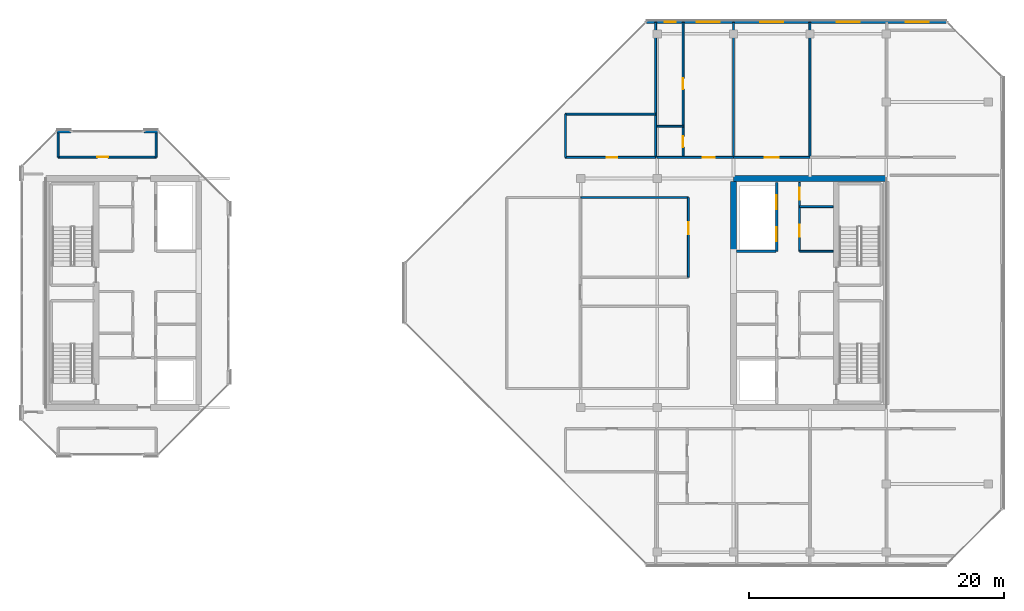
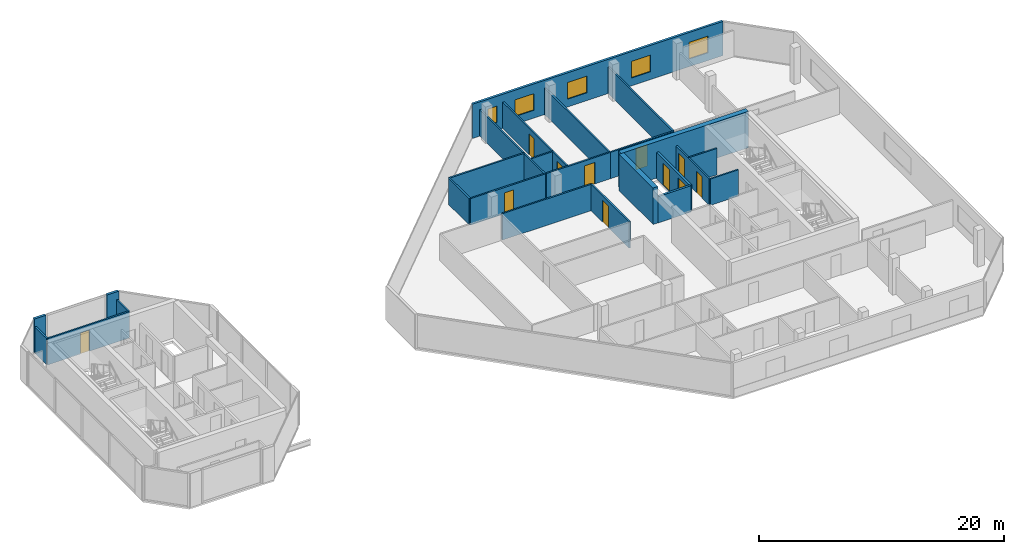
# One storey, part 23 of 28: 25 walls, 11 doors, 5 windows, 16 openings.
"""IFC4 building model written with IfcOpenShell, lengths in metres."""

from ifc_helpers import new_model, si_unit, direction, frame, frame_2d, origin, place, context, subcontext, project, spatial, rectangle, extrude, material, layer, layer_set, type_object, element, fill, save


model = new_model("IFC4")

# Units and contexts
model_context = context("Model", 3, precision=1e-05, world=origin(), true_north=direction((0.0, 1.0)))
body_context = subcontext(model_context, "Body", "Model", "MODEL_VIEW")
ifc_project = project(units=[si_unit("LENGTHUNIT", "METRE"), si_unit("AREAUNIT", "SQUARE_METRE"), si_unit("VOLUMEUNIT", "CUBIC_METRE"), si_unit("PLANEANGLEUNIT", "RADIAN"), si_unit("MASSUNIT", "GRAM", prefix="KILO")], contexts=[model_context])

# Site, building, storey
site_placement = place(None, origin())
site = spatial("IfcSite", under=ifc_project, at=site_placement, CompositionType="ELEMENT")
building_placement = place(site_placement, origin())
building = spatial("IfcBuilding", under=site, at=building_placement, Name="Tanjung Sevakor Pilgrim Tower", CompositionType="ELEMENT")
storey_placement = place(building_placement, frame((0.0, 0.0, 249.81005859375)))
storey = spatial("IfcBuildingStorey", under=building, at=storey_placement, Name="L70", CompositionType="ELEMENT", Elevation=249.81005859375)

# Walls
ifc_material_1 = material(Name="Concrete C60/75", Category="concrete")
ifc_layer_1 = layer(ifc_material_1, 0.449951171875)
ifc_layer_set_1 = layer_set([ifc_layer_1], Name="WALL-CW-450")
wall_type_1 = type_object("IfcWallType", Name="WALL-CW-450", PredefinedType="SHEAR", material=ifc_layer_set_1)
wall_1_placement = place(storey_placement, frame((90.0, 42.60009765625, 0.0), z_axis=(0.0, 0.0, 1.0), x_axis=(-1.0, 0.0, 0.0)))
element("IfcWall", 1, at=wall_1_placement, inside=storey, type_object=wall_type_1, Name="L70 E Core North Shear Wall", PredefinedType="SHEAR", context=body_context, shape_type="SweptSolid", body=[
    extrude(rectangle(XDim=12.0, YDim=0.449951171875, at=frame_2d((6.0, 0.0))), origin(), (0.0, 0.0, 1.0), 3.6298828125),
])
wall_2_placement = place(storey_placement, frame((78.0, 36.800048828125, 0.0), z_axis=(0.0, 0.0, 1.0), x_axis=(0.0, 1.0, 0.0)))
element("IfcWall", 2, at=wall_2_placement, inside=storey, type_object=wall_type_1, Name="L70 E Core Inner Shear Wall North", PredefinedType="SHEAR", context=body_context, shape_type="SweptSolid", body=[
    extrude(rectangle(XDim=5.574951171875, YDim=0.449951171875, at=frame_2d((2.78759765625, 0.0))), origin(), (0.0, 0.0, 1.0), 3.6298828125),
])
ifc_material_2 = material(Name="Concrete C40/50", Category="concrete")
ifc_layer_2 = layer(ifc_material_2, 0.14990234375)
ifc_layer_set_2 = layer_set([ifc_layer_2], Name="WT-COMP-150")
wall_type_2 = type_object("IfcWallType", Name="WT-COMP-150", PredefinedType="SOLIDWALL", material=ifc_layer_set_2)
for number, where, z_axis, x_axis, name in (
    (3, (83.199951171875, 36.8798828125, 0.0), (0.0, 0.0, 1.0), (1.0, 0.0, 0.0), "L70 Partition IW-L70-022"),
    (4, (83.199951171875, 40.389892578125, 0.0), (0.0, 0.0, 1.0), (1.0, 0.0, 0.0), "L70 Partition IW-L70-023"),
):
    element("IfcWall", number, at=place(storey_placement, frame(where, z_axis=z_axis, x_axis=x_axis)), inside=storey, type_object=wall_type_2, Name=name, PredefinedType="SOLIDWALL", context=body_context, shape_type="SweptSolid", body=[
        extrude(rectangle(XDim=2.630126953125, YDim=0.14990234375, at=frame_2d((1.31494140625, 0.0))), origin(), (0.0, 0.0, 1.0), 2.6298828125),
    ])

# Wall, openings, doors
wall_3_placement = place(storey_placement, frame((83.179931640625, 36.8798828125, 0.0), z_axis=(0.0, 0.0, 1.0), x_axis=(0.0, 1.0, 0.0)))
wall_3 = element("IfcWall", 5, at=wall_3_placement, inside=storey, type_object=wall_type_2, Name="L70 Partition IW-L70-024", PredefinedType="SOLIDWALL", context=body_context, shape_type="SweptSolid", body=[
    extrude(rectangle(XDim=5.420166015625, YDim=0.14990234375, at=frame_2d((2.7099609375, 0.0))), origin(), (0.0, 0.0, 1.0), 2.6298828125),
])
opening_1_placement = place(wall_3_placement, frame((1.14990234375, 0.0, 0.0)))
opening_1 = element("IfcOpeningElement", 6, at=opening_1_placement, cuts=wall_3, Name="Opening ID-FD2", PredefinedType="OPENING", context=body_context, shape_type="SweptSolid", body=[
    extrude(rectangle(XDim=0.949951171875, YDim=2.14990234375, at=frame_2d((0.47509765625, 1.074951171875))), frame((0.0, 0.0849609375, 0.0), z_axis=(0.0, -1.0, 0.0), x_axis=(1.0, 0.0, 0.0)), (0.0, 0.0, 1.0), 0.169921875),
])
opening_2_placement = place(wall_3_placement, frame((4.050048828125, 0.0, 0.0)))
opening_2 = element("IfcOpeningElement", 7, at=opening_2_placement, cuts=wall_3, Name="Opening ID-FD2", PredefinedType="OPENING", context=body_context, shape_type="SweptSolid", body=[
    extrude(rectangle(XDim=0.949951171875, YDim=2.14990234375, at=frame_2d((0.47509765625, 1.074951171875))), frame((0.0, 0.0849609375, 0.0), z_axis=(0.0, -1.0, 0.0), x_axis=(1.0, 0.0, 0.0)), (0.0, 0.0, 1.0), 0.169921875),
])
ifc_material_3 = material(Name="Fire-Rated Timber", Category="wood")
door_type_1 = type_object("IfcDoorType", Name="DT-FIRE-950", OperationType="NOTDEFINED", PredefinedType="DOOR", material=ifc_material_3)
door_1_placement = place(opening_1_placement, origin())
door_1 = element("IfcDoor", 8, at=door_1_placement, inside=storey, type_object=door_type_1, Name="L70 Core Study Room Door", OperationType="SINGLE_SWING_LEFT", OverallHeight=2.14990234375, OverallWidth=0.949951171875, PredefinedType="DOOR", context=body_context, shape_type="SweptSolid", body=[
    extrude(rectangle(XDim=0.949951171875, YDim=2.14990234375, at=frame_2d((0.47509765625, 1.074951171875))), frame((0.0, 0.02490234375, 0.0), z_axis=(0.0, -1.0, 0.0), x_axis=(1.0, 0.0, 0.0)), (0.0, 0.0, 1.0), 0.050048828125),
])
fill(opening_1, door_1)
door_2_placement = place(opening_2_placement, origin())
door_2 = element("IfcDoor", 9, at=door_2_placement, inside=storey, type_object=door_type_1, Name="L70 Service Store Door", OperationType="SINGLE_SWING_RIGHT", OverallHeight=2.14990234375, OverallWidth=0.949951171875, PredefinedType="DOOR", context=body_context, shape_type="SweptSolid", body=[
    extrude(rectangle(XDim=0.949951171875, YDim=2.14990234375, at=frame_2d((0.47509765625, 1.074951171875))), frame((0.0, 0.02490234375, 0.0), z_axis=(0.0, -1.0, 0.0), x_axis=(1.0, 0.0, 0.0)), (0.0, 0.0, 1.0), 0.050048828125),
])
fill(opening_2, door_2)

# Wall, opening, door
wall_4_placement = place(storey_placement, frame((24.949951171875, 44.27001953125, 0.0), z_axis=(0.0, 0.0, 1.0), x_axis=(1.0, 0.0, 0.0)))
wall_4 = element("IfcWall", 10, at=wall_4_placement, inside=storey, type_object=wall_type_2, Name="L70 Partition IW-L70-032", PredefinedType="SOLIDWALL", context=body_context, shape_type="SweptSolid", body=[
    extrude(rectangle(XDim=7.699951171875, YDim=0.14990234375, at=frame_2d((3.85009765625, 0.0))), origin(), (0.0, 0.0, 1.0), 2.6298828125),
])
opening_3_placement = place(wall_4_placement, frame((3.074951171875, 0.0, 0.0)))
opening_3 = element("IfcOpeningElement", 11, at=opening_3_placement, cuts=wall_4, Name="Opening ID-WC1", PredefinedType="OPENING", context=body_context, shape_type="SweptSolid", body=[
    extrude(rectangle(XDim=0.85009765625, YDim=2.10009765625, at=frame_2d((0.425048828125, 1.050048828125))), frame((0.0, 0.0849609375, 0.0), z_axis=(0.0, -1.0, 0.0), x_axis=(1.0, 0.0, 0.0)), (0.0, 0.0, 1.0), 0.169921875),
])
ifc_material_4 = material(Name="Moisture-Resistant Timber", Category="wood")
door_type_2 = type_object("IfcDoorType", Name="DT-INT-850", OperationType="NOTDEFINED", PredefinedType="DOOR", material=ifc_material_4)
door_3_placement = place(opening_3_placement, origin())
door_3 = element("IfcDoor", 12, at=door_3_placement, inside=storey, type_object=door_type_2, Name="L70 West Peak North Observatory Door", OperationType="SINGLE_SWING_LEFT", OverallHeight=2.10009765625, OverallWidth=0.85009765625, PredefinedType="DOOR", context=body_context, shape_type="SweptSolid", body=[
    extrude(rectangle(XDim=0.85009765625, YDim=2.10009765625, at=frame_2d((0.425048828125, 1.050048828125))), frame((0.0, 0.02490234375, 0.0), z_axis=(0.0, -1.0, 0.0), x_axis=(1.0, 0.0, 0.0)), (0.0, 0.0, 1.0), 0.050048828125),
])
fill(opening_3, door_3)

# Walls
for number, where, z_axis, x_axis, name in (
    (13, (24.949951171875, 44.27001953125, 0.0), (0.0, 0.0, 1.0), (0.0, 1.0, 0.0), "L70 Partition IW-L70-033"),
    (14, (32.64990234375, 44.27001953125, 0.0), (0.0, 0.0, 1.0), (0.0, 1.0, 0.0), "L70 Partition IW-L70-034"),
):
    element("IfcWall", number, at=place(storey_placement, frame(where, z_axis=z_axis, x_axis=x_axis)), inside=storey, type_object=wall_type_2, Name=name, PredefinedType="SOLIDWALL", context=body_context, shape_type="SweptSolid", body=[
        extrude(rectangle(XDim=2.010009765625, YDim=0.14990234375, at=frame_2d((1.0048828125, 0.0))), origin(), (0.0, 0.0, 1.0), 2.6298828125),
    ])

# Wall, opening, door
wall_5_placement = place(storey_placement, frame((64.800048828125, 44.25, 0.0), z_axis=(0.0, 0.0, 1.0), x_axis=(1.0, 0.0, 0.0)))
wall_5 = element("IfcWall", 15, at=wall_5_placement, inside=storey, type_object=wall_type_2, Name="L70 Partition IW-L70-039", PredefinedType="SOLIDWALL", context=body_context, shape_type="SweptSolid", body=[
    extrude(rectangle(XDim=7.079833984375, YDim=0.14990234375, at=frame_2d((3.5400390625, 0.0))), origin(), (0.0, 0.0, 1.0), 2.6298828125),
])
opening_4_placement = place(wall_5_placement, frame((3.22509765625, 0.0, 0.0)))
opening_4 = element("IfcOpeningElement", 16, at=opening_4_placement, cuts=wall_5, Name="Opening ID-WC1", PredefinedType="OPENING", context=body_context, shape_type="SweptSolid", body=[
    extrude(rectangle(XDim=0.85009765625, YDim=2.10009765625, at=frame_2d((0.425048828125, 1.050048828125))), frame((0.0, 0.0849609375, 0.0), z_axis=(0.0, -1.0, 0.0), x_axis=(1.0, 0.0, 0.0)), (0.0, 0.0, 1.0), 0.169921875),
])
door_4_placement = place(opening_4_placement, origin())
door_4 = element("IfcDoor", 17, at=door_4_placement, inside=storey, type_object=door_type_2, Name="L70 NW Crown Library Door", OperationType="SINGLE_SWING_LEFT", OverallHeight=2.10009765625, OverallWidth=0.85009765625, PredefinedType="DOOR", context=body_context, shape_type="SweptSolid", body=[
    extrude(rectangle(XDim=0.85009765625, YDim=2.10009765625, at=frame_2d((0.425048828125, 1.050048828125))), frame((0.0, 0.02490234375, 0.0), z_axis=(0.0, -1.0, 0.0), x_axis=(1.0, 0.0, 0.0)), (0.0, 0.0, 1.0), 0.050048828125),
])
fill(opening_4, door_4)

# Walls
wall_6_placement = place(storey_placement, frame((64.800048828125, 47.64990234375, 0.0), z_axis=(0.0, 0.0, 1.0), x_axis=(1.0, 0.0, 0.0)))
element("IfcWall", 18, at=wall_6_placement, inside=storey, type_object=wall_type_2, Name="L70 Partition IW-L70-040", PredefinedType="SOLIDWALL", context=body_context, shape_type="SweptSolid", body=[
    extrude(rectangle(XDim=7.079833984375, YDim=0.14990234375, at=frame_2d((3.5400390625, 0.0))), origin(), (0.0, 0.0, 1.0), 2.6298828125),
])
wall_7_placement = place(storey_placement, frame((64.800048828125, 44.25, 0.0), z_axis=(0.0, 0.0, 1.0), x_axis=(0.0, 1.0, 0.0)))
element("IfcWall", 19, at=wall_7_placement, inside=storey, type_object=wall_type_2, Name="L70 Partition IW-L70-041", PredefinedType="SOLIDWALL", context=body_context, shape_type="SweptSolid", body=[
    extrude(rectangle(XDim=3.39990234375, YDim=0.14990234375, at=frame_2d((1.699951171875, 0.0))), origin(), (0.0, 0.0, 1.0), 2.6298828125),
])
for number, where, z_axis, x_axis, name in (
    (20, (71.8798828125, 44.25, 0.0), (0.0, 0.0, 1.0), (0.0, 1.0, 0.0), "L70 Partition IW-L70-042"),
    (21, (78.0, 44.25, 0.0), (0.0, 0.0, 1.0), (0.0, 1.0, 0.0), "L70 Partition IW-L70-058"),
):
    element("IfcWall", number, at=place(storey_placement, frame(where, z_axis=z_axis, x_axis=x_axis)), inside=storey, type_object=wall_type_2, Name=name, PredefinedType="SOLIDWALL", context=body_context, shape_type="SweptSolid", body=[
        extrude(rectangle(XDim=10.610107421875, YDim=0.14990234375, at=frame_2d((5.30517578125, 0.0))), origin(), (0.0, 0.0, 1.0), 2.6298828125),
    ])

# Wall, opening, door
wall_8_placement = place(storey_placement, frame((72.0, 44.25, 0.0), z_axis=(0.0, 0.0, 1.0), x_axis=(1.0, 0.0, 0.0)))
wall_8 = element("IfcWall", 22, at=wall_8_placement, inside=storey, type_object=wall_type_2, Name="L70 Partition IW-L70-061", PredefinedType="SOLIDWALL", context=body_context, shape_type="SweptSolid", body=[
    extrude(rectangle(XDim=6.0, YDim=0.14990234375, at=frame_2d((3.0, 0.0))), origin(), (0.0, 0.0, 1.0), 2.6298828125),
])
opening_5_placement = place(wall_8_placement, frame((3.5849609375, 0.0, 0.0)))
opening_5 = element("IfcOpeningElement", 23, at=opening_5_placement, cuts=wall_8, Name="Opening ID-FD2", PredefinedType="OPENING", context=body_context, shape_type="SweptSolid", body=[
    extrude(rectangle(XDim=0.949951171875, YDim=2.14990234375, at=frame_2d((0.47509765625, 1.074951171875))), frame((0.0, 0.0849609375, 0.0), z_axis=(0.0, -1.0, 0.0), x_axis=(1.0, 0.0, 0.0)), (0.0, 0.0, 1.0), 0.169921875),
])
door_5_placement = place(opening_5_placement, origin())
door_5 = element("IfcDoor", 24, at=door_5_placement, inside=storey, type_object=door_type_1, Name="Hotel Guestroom Entrance", OperationType="SINGLE_SWING_LEFT", OverallHeight=2.14990234375, OverallWidth=0.949951171875, PredefinedType="DOOR", context=body_context, shape_type="SweptSolid", body=[
    extrude(rectangle(XDim=0.949951171875, YDim=2.14990234375, at=frame_2d((0.47509765625, 1.074951171875))), frame((0.0, 0.02490234375, 0.0), z_axis=(0.0, -1.0, 0.0), x_axis=(1.0, 0.0, 0.0)), (0.0, 0.0, 1.0), 0.050048828125),
])
fill(opening_5, door_5)

# Wall
wall_9_placement = place(storey_placement, frame((84.0, 44.25, 0.0), z_axis=(0.0, 0.0, 1.0), x_axis=(0.0, 1.0, 0.0)))
element("IfcWall", 25, at=wall_9_placement, inside=storey, type_object=wall_type_2, Name="L70 Partition IW-L70-062", PredefinedType="SOLIDWALL", context=body_context, shape_type="SweptSolid", body=[
    extrude(rectangle(XDim=10.610107421875, YDim=0.14990234375, at=frame_2d((5.30517578125, 0.0))), origin(), (0.0, 0.0, 1.0), 2.6298828125),
])

# Wall, opening, door
wall_10_placement = place(storey_placement, frame((78.0, 44.25, 0.0), z_axis=(0.0, 0.0, 1.0), x_axis=(1.0, 0.0, 0.0)))
wall_10 = element("IfcWall", 26, at=wall_10_placement, inside=storey, type_object=wall_type_2, Name="L70 Partition IW-L70-063", PredefinedType="SOLIDWALL", context=body_context, shape_type="SweptSolid", body=[
    extrude(rectangle(XDim=6.0, YDim=0.14990234375, at=frame_2d((3.0, 0.0))), origin(), (0.0, 0.0, 1.0), 2.6298828125),
])
opening_6_placement = place(wall_10_placement, frame((2.449951171875, 0.0, 0.0)))
opening_6 = element("IfcOpeningElement", 27, at=opening_6_placement, cuts=wall_10, Name="Opening ID-FD0", PredefinedType="OPENING", context=body_context, shape_type="SweptSolid", body=[
    extrude(rectangle(XDim=1.10009765625, YDim=2.14990234375, at=frame_2d((0.550048828125, 1.074951171875))), frame((0.0, 0.0849609375, 0.0), z_axis=(0.0, -1.0, 0.0), x_axis=(1.0, 0.0, 0.0)), (0.0, 0.0, 1.0), 0.169921875),
])
ifc_material_5 = material(Name="Fire-Rated Steel S355J2", Category="steel")
door_type_3 = type_object("IfcDoorType", Name="DT-FIRE-1100", OperationType="NOTDEFINED", PredefinedType="DOOR", material=ifc_material_5)
door_6_placement = place(opening_6_placement, origin())
door_6 = element("IfcDoor", 28, at=door_6_placement, inside=storey, type_object=door_type_3, Name="Seminar Room Door", OperationType="SINGLE_SWING_RIGHT", OverallHeight=2.14990234375, OverallWidth=1.10009765625, PredefinedType="DOOR", context=body_context, shape_type="SweptSolid", body=[
    extrude(rectangle(XDim=1.10009765625, YDim=2.14990234375, at=frame_2d((0.550048828125, 1.074951171875))), frame((0.0, 0.02490234375, 0.0), z_axis=(0.0, -1.0, 0.0), x_axis=(1.0, 0.0, 0.0)), (0.0, 0.0, 1.0), 0.050048828125),
])
fill(opening_6, door_6)

# Wall
wall_11_placement = place(storey_placement, frame((66.0, 41.10009765625, 0.0), z_axis=(0.0, 0.0, 1.0), x_axis=(1.0, 0.0, 0.0)))
element("IfcWall", 29, at=wall_11_placement, inside=storey, type_object=wall_type_2, Name="L70 Partition IW-L70-073", PredefinedType="SOLIDWALL", context=body_context, shape_type="SweptSolid", body=[
    extrude(rectangle(XDim=8.449951171875, YDim=0.14990234375, at=frame_2d((4.22509765625, 0.0))), origin(), (0.0, 0.0, 1.0), 2.6298828125),
])

# Wall, opening, door
wall_12_placement = place(storey_placement, frame((74.449951171875, 34.85009765625, 0.0), z_axis=(0.0, 0.0, 1.0), x_axis=(0.0, 1.0, 0.0)))
wall_12 = element("IfcWall", 30, at=wall_12_placement, inside=storey, type_object=wall_type_2, Name="L70 Partition IW-L70-074", PredefinedType="SOLIDWALL", context=body_context, shape_type="SweptSolid", body=[
    extrude(rectangle(XDim=6.25, YDim=0.14990234375, at=frame_2d((3.125, 0.0))), origin(), (0.0, 0.0, 1.0), 2.6298828125),
])
opening_7_placement = place(wall_12_placement, frame((3.375, 0.0, 0.0)))
opening_7 = element("IfcOpeningElement", 31, at=opening_7_placement, cuts=wall_12, Name="Opening ID-RM1", PredefinedType="OPENING", context=body_context, shape_type="SweptSolid", body=[
    extrude(rectangle(XDim=0.949951171875, YDim=2.14990234375, at=frame_2d((0.47509765625, 1.074951171875))), frame((0.0, 0.0849609375, 0.0), z_axis=(0.0, -1.0, 0.0), x_axis=(1.0, 0.0, 0.0)), (0.0, 0.0, 1.0), 0.169921875),
])
ifc_material_6 = material(Name="Hardwood Timber", Category="wood")
door_type_4 = type_object("IfcDoorType", Name="DT-INT-950", OperationType="NOTDEFINED", PredefinedType="DOOR", material=ifc_material_6)
door_7_placement = place(opening_7_placement, origin())
door_7 = element("IfcDoor", 32, at=door_7_placement, inside=storey, type_object=door_type_4, Name="L70 East Peak Reading Door", OperationType="SINGLE_SWING_RIGHT", OverallHeight=2.14990234375, OverallWidth=0.949951171875, PredefinedType="DOOR", context=body_context, shape_type="SweptSolid", body=[
    extrude(rectangle(XDim=0.949951171875, YDim=2.14990234375, at=frame_2d((0.47509765625, 1.074951171875))), frame((0.0, 0.02490234375, 0.0), z_axis=(0.0, -1.0, 0.0), x_axis=(1.0, 0.0, 0.0)), (0.0, 0.0, 1.0), 0.050048828125),
])
fill(opening_7, door_7)

# Walls
ifc_material_7 = material(Name="Precast concrete C45/55", Category="concrete")
ifc_layer_3 = layer(ifc_material_7, 0.219970703125)
ifc_layer_set_3 = layer_set([ifc_layer_3], Name="WT-EW-STN4")
wall_type_3 = type_object("IfcWallType", Name="WT-EW-STN4", PredefinedType="SOLIDWALL", material=ifc_layer_set_3)
wall_13_placement = place(storey_placement, frame((32.804443359375, 46.2900390625, 0.0), z_axis=(0.0, 0.0, 1.0), x_axis=(-1.0, 0.0, 0.0)))
element("IfcWall", 33, at=wall_13_placement, inside=storey, type_object=wall_type_3, Name="L70 WEST Crown Pier 4-1A", PredefinedType="SOLIDWALL", context=body_context, shape_type="SweptSolid", body=[
    extrude(rectangle(XDim=1.10009765625, YDim=0.219970703125, at=frame_2d((0.550048828125, 0.0))), origin(), (0.0, 0.0, 1.0), 3.409912109375),
])
wall_14_placement = place(storey_placement, frame((25.945556640625, 46.2900390625, 0.0), z_axis=(0.0, 0.0, 1.0), x_axis=(-1.0, 0.0, 0.0)))
element("IfcWall", 34, at=wall_14_placement, inside=storey, type_object=wall_type_3, Name="L70 WEST Crown Pier 4-1B", PredefinedType="SOLIDWALL", context=body_context, shape_type="SweptSolid", body=[
    extrude(rectangle(XDim=1.099853515625, YDim=0.219970703125, at=frame_2d((0.5498046875, 0.0))), origin(), (0.0, 0.0, 1.0), 3.409912109375),
])

# Wall, openings, windows
wall_15_placement = place(storey_placement, frame((94.75439453125, 54.889892578125, 0.0), z_axis=(0.0, 0.0, 1.0), x_axis=(-1.0, 0.0, 0.0)))
wall_15 = element("IfcWall", 35, at=wall_15_placement, inside=storey, type_object=wall_type_3, Name="L70 EAST Exterior Wall 5", PredefinedType="SOLIDWALL", context=body_context, shape_type="SweptSolid", body=[
    extrude(rectangle(XDim=23.60888671875, YDim=0.219970703125, at=frame_2d((11.804443359375, 0.0))), origin(), (0.0, 0.0, 1.0), 3.409912109375),
])
opening_8_placement = place(wall_15_placement, frame((1.42724609375, 0.0, 0.780029296875)))
opening_8 = element("IfcOpeningElement", 36, at=opening_8_placement, cuts=wall_15, Name="Opening WN-Z3-1660", PredefinedType="OPENING", context=body_context, shape_type="SweptSolid", body=[
    extrude(rectangle(XDim=1.800048828125, YDim=1.659912109375, at=frame_2d((0.89990234375, 0.830078125))), frame((0.0, 0.119873046875, 0.0), z_axis=(0.0, -1.0, 0.0), x_axis=(1.0, 0.0, 0.0)), (0.0, 0.0, 1.0), 0.239990234375),
])
opening_9_placement = place(wall_15_placement, frame((21.29931640625, 0.0, 0.780029296875)))
opening_9 = element("IfcOpeningElement", 37, at=opening_9_placement, cuts=wall_15, Name="Opening WN-SLM", PredefinedType="OPENING", context=body_context, shape_type="SweptSolid", body=[
    extrude(rectangle(XDim=0.85009765625, YDim=1.64990234375, at=frame_2d((0.425048828125, 0.824951171875))), frame((0.0, 0.119873046875, 0.0), z_axis=(0.0, -1.0, 0.0), x_axis=(1.0, 0.0, 0.0)), (0.0, 0.0, 1.0), 0.239990234375),
])
opening_10_placement = place(wall_15_placement, frame((17.844482421875, 0.0, 0.780029296875)))
opening_10 = element("IfcOpeningElement", 38, at=opening_10_placement, cuts=wall_15, Name="Opening WN-Z3-1660", PredefinedType="OPENING", context=body_context, shape_type="SweptSolid", body=[
    extrude(rectangle(XDim=1.800048828125, YDim=1.659912109375, at=frame_2d((0.89990234375, 0.830078125))), frame((0.0, 0.119873046875, 0.0), z_axis=(0.0, -1.0, 0.0), x_axis=(1.0, 0.0, 0.0)), (0.0, 0.0, 1.0), 0.239990234375),
])
opening_11_placement = place(wall_15_placement, frame((12.8544921875, 0.0, 0.780029296875)))
opening_11 = element("IfcOpeningElement", 39, at=opening_11_placement, cuts=wall_15, Name="Opening WN-Z3-1660", PredefinedType="OPENING", context=body_context, shape_type="SweptSolid", body=[
    extrude(rectangle(XDim=1.800048828125, YDim=1.659912109375, at=frame_2d((0.89990234375, 0.830078125))), frame((0.0, 0.119873046875, 0.0), z_axis=(0.0, -1.0, 0.0), x_axis=(1.0, 0.0, 0.0)), (0.0, 0.0, 1.0), 0.239990234375),
])
opening_12_placement = place(wall_15_placement, frame((6.8544921875, 0.0, 0.780029296875)))
opening_12 = element("IfcOpeningElement", 40, at=opening_12_placement, cuts=wall_15, Name="Opening WN-Z3-1660", PredefinedType="OPENING", context=body_context, shape_type="SweptSolid", body=[
    extrude(rectangle(XDim=1.800048828125, YDim=1.659912109375, at=frame_2d((0.89990234375, 0.830078125))), frame((0.0, 0.119873046875, 0.0), z_axis=(0.0, -1.0, 0.0), x_axis=(1.0, 0.0, 0.0)), (0.0, 0.0, 1.0), 0.239990234375),
])
ifc_material_8 = material(Name="Thermally Broken Aluminium and Low-E Glass", Category="aluminium")
window_type_1 = type_object("IfcWindowType", Name="WTYP-WN-SLM", PartitioningType="SINGLE_PANEL", PredefinedType="WINDOW", material=ifc_material_8)
window_1_placement = place(opening_9_placement, origin())
window_1 = element("IfcWindow", 41, at=window_1_placement, inside=storey, type_object=window_type_1, Name="L70 Facade Window 02", OverallHeight=1.64990234375, OverallWidth=0.85009765625, PartitioningType="SINGLE_PANEL", PredefinedType="WINDOW", context=body_context, shape_type="SweptSolid", body=[
    extrude(rectangle(XDim=0.85009765625, YDim=1.64990234375, at=frame_2d((0.425048828125, 0.824951171875))), frame((0.0, 0.030029296875, 0.0), z_axis=(0.0, -1.0, 0.0), x_axis=(1.0, 0.0, 0.0)), (0.0, 0.0, 1.0), 0.06005859375),
])
fill(opening_9, window_1)
ifc_material_9 = material(Name="Thermally Broken Aluminium and Low-E Glass", Category="aluminium")
window_type_2 = type_object("IfcWindowType", Name="WTYP-WN-Z3-1660", PartitioningType="DOUBLE_PANEL_VERTICAL", PredefinedType="WINDOW", material=ifc_material_9)
window_2_placement = place(opening_8_placement, origin())
window_2 = element("IfcWindow", 42, at=window_2_placement, inside=storey, type_object=window_type_2, Name="L70 Facade Window 01", OverallHeight=1.659912109375, OverallWidth=1.800048828125, PartitioningType="SINGLE_PANEL", PredefinedType="WINDOW", context=body_context, shape_type="SweptSolid", body=[
    extrude(rectangle(XDim=1.800048828125, YDim=1.659912109375, at=frame_2d((0.89990234375, 0.830078125))), frame((0.0, 0.030029296875, 0.0), z_axis=(0.0, -1.0, 0.0), x_axis=(1.0, 0.0, 0.0)), (0.0, 0.0, 1.0), 0.06005859375),
])
fill(opening_8, window_2)
window_3_placement = place(opening_10_placement, origin())
window_3 = element("IfcWindow", 43, at=window_3_placement, inside=storey, type_object=window_type_2, Name="L70 Facade Window 03", OverallHeight=1.659912109375, OverallWidth=1.800048828125, PartitioningType="SINGLE_PANEL", PredefinedType="WINDOW", context=body_context, shape_type="SweptSolid", body=[
    extrude(rectangle(XDim=1.800048828125, YDim=1.659912109375, at=frame_2d((0.89990234375, 0.830078125))), frame((0.0, 0.030029296875, 0.0), z_axis=(0.0, -1.0, 0.0), x_axis=(1.0, 0.0, 0.0)), (0.0, 0.0, 1.0), 0.06005859375),
])
fill(opening_10, window_3)
window_4_placement = place(opening_11_placement, origin())
window_4 = element("IfcWindow", 44, at=window_4_placement, inside=storey, type_object=window_type_2, Name="L70 Facade Window 04", OverallHeight=1.659912109375, OverallWidth=1.800048828125, PartitioningType="SINGLE_PANEL", PredefinedType="WINDOW", context=body_context, shape_type="SweptSolid", body=[
    extrude(rectangle(XDim=1.800048828125, YDim=1.659912109375, at=frame_2d((0.89990234375, 0.830078125))), frame((0.0, 0.030029296875, 0.0), z_axis=(0.0, -1.0, 0.0), x_axis=(1.0, 0.0, 0.0)), (0.0, 0.0, 1.0), 0.06005859375),
])
fill(opening_11, window_4)
window_5_placement = place(opening_12_placement, origin())
window_5 = element("IfcWindow", 45, at=window_5_placement, inside=storey, type_object=window_type_2, Name="L70 Facade Window 05", OverallHeight=1.659912109375, OverallWidth=1.800048828125, PartitioningType="SINGLE_PANEL", PredefinedType="WINDOW", context=body_context, shape_type="SweptSolid", body=[
    extrude(rectangle(XDim=1.800048828125, YDim=1.659912109375, at=frame_2d((0.89990234375, 0.830078125))), frame((0.0, 0.030029296875, 0.0), z_axis=(0.0, -1.0, 0.0), x_axis=(1.0, 0.0, 0.0)), (0.0, 0.0, 1.0), 0.06005859375),
])
fill(opening_12, window_5)

# Wall
ifc_material_10 = material(Name="Concrete C40/50", Category="concrete")
ifc_layer_4 = layer(ifc_material_10, 0.199951171875)
ifc_layer_set_4 = layer_set([ifc_layer_4], Name="WT-FPRT-200")
wall_type_4 = type_object("IfcWallType", Name="WT-FPRT-200", PredefinedType="SOLIDWALL", material=ifc_layer_set_4)
wall_16_placement = place(storey_placement, frame((78.2451171875, 36.8798828125, 0.0), z_axis=(0.0, 0.0, 1.0), x_axis=(1.0, 0.0, 0.0)))
element("IfcWall", 46, at=wall_16_placement, inside=storey, type_object=wall_type_4, Name="L70 Partition IW-L70-025", PredefinedType="SOLIDWALL", context=body_context, shape_type="SweptSolid", body=[
    extrude(rectangle(XDim=3.074951171875, YDim=0.199951171875, at=frame_2d((1.53759765625, 0.0))), origin(), (0.0, 0.0, 1.0), 2.6298828125),
])

# Wall, openings, doors
wall_17_placement = place(storey_placement, frame((81.3798828125, 36.8798828125, 0.0), z_axis=(0.0, 0.0, 1.0), x_axis=(0.0, 1.0, 0.0)))
wall_17 = element("IfcWall", 47, at=wall_17_placement, inside=storey, type_object=wall_type_4, Name="L70 Partition IW-L70-026", PredefinedType="SOLIDWALL", context=body_context, shape_type="SweptSolid", body=[
    extrude(rectangle(XDim=5.420166015625, YDim=0.199951171875, at=frame_2d((2.7099609375, 0.0))), origin(), (0.0, 0.0, 1.0), 2.6298828125),
])
opening_13_placement = place(wall_17_placement, frame((0.800048828125, 0.0, 0.0)))
opening_13 = element("IfcOpeningElement", 48, at=opening_13_placement, cuts=wall_17, Name="Opening LD-1100", PredefinedType="OPENING", context=body_context, shape_type="SweptSolid", body=[
    extrude(rectangle(XDim=1.10009765625, YDim=2.199951171875, at=frame_2d((0.550048828125, 1.10009765625))), frame((0.0, 0.10986328125, 0.0), z_axis=(0.0, -1.0, 0.0), x_axis=(1.0, 0.0, 0.0)), (0.0, 0.0, 1.0), 0.219970703125),
])
opening_14_placement = place(wall_17_placement, frame((3.300048828125, 0.0, 0.0)))
opening_14 = element("IfcOpeningElement", 49, at=opening_14_placement, cuts=wall_17, Name="Opening LD-1100", PredefinedType="OPENING", context=body_context, shape_type="SweptSolid", body=[
    extrude(rectangle(XDim=1.10009765625, YDim=2.199951171875, at=frame_2d((0.550048828125, 1.10009765625))), frame((0.0, 0.10986328125, 0.0), z_axis=(0.0, -1.0, 0.0), x_axis=(1.0, 0.0, 0.0)), (0.0, 0.0, 1.0), 0.219970703125),
])
ifc_material_11 = material(Name="Brushed Stainless Steel S355J2", Category="steel")
door_type_5 = type_object("IfcDoorType", Name="DT-LIFT-1100", OperationType="SLIDING_TO_LEFT", PredefinedType="DOOR", material=ifc_material_11)
door_8_placement = place(opening_13_placement, origin())
door_8 = element("IfcDoor", 50, at=door_8_placement, inside=storey, type_object=door_type_5, Name="LD-PLH1-E", OperationType="SLIDING_TO_LEFT", OverallHeight=2.199951171875, OverallWidth=1.10009765625, PredefinedType="DOOR", context=body_context, shape_type="SweptSolid", body=[
    extrude(rectangle(XDim=1.10009765625, YDim=2.199951171875, at=frame_2d((0.550048828125, 1.10009765625))), frame((0.0, 0.02490234375, 0.0), z_axis=(0.0, -1.0, 0.0), x_axis=(1.0, 0.0, 0.0)), (0.0, 0.0, 1.0), 0.050048828125),
])
fill(opening_13, door_8)
door_9_placement = place(opening_14_placement, origin())
door_9 = element("IfcDoor", 51, at=door_9_placement, inside=storey, type_object=door_type_5, Name="LD-PLH2-E", OperationType="SLIDING_TO_RIGHT", OverallHeight=2.199951171875, OverallWidth=1.10009765625, PredefinedType="DOOR", context=body_context, shape_type="SweptSolid", body=[
    extrude(rectangle(XDim=1.10009765625, YDim=2.199951171875, at=frame_2d((0.550048828125, 1.10009765625))), frame((0.0, 0.02490234375, 0.0), z_axis=(0.0, -1.0, 0.0), x_axis=(1.0, 0.0, 0.0)), (0.0, 0.0, 1.0), 0.050048828125),
])
fill(opening_14, door_9)

# Wall
ifc_material_12 = material(Name="Gypsum Board Partition", Category="gypsum board")
ifc_layer_5 = layer(ifc_material_12, 0.14990234375)
ifc_layer_set_5 = layer_set([ifc_layer_5], Name="WT-PART-150")
wall_type_5 = type_object("IfcWallType", Name="WT-PART-150", PredefinedType="PARTITIONING", material=ifc_layer_set_5)
wall_18_placement = place(storey_placement, frame((72.0, 46.699951171875, 0.0), z_axis=(0.0, 0.0, 1.0), x_axis=(1.0, 0.0, 0.0)))
element("IfcWall", 52, at=wall_18_placement, inside=storey, type_object=wall_type_5, Name="L70 Partition IW-L70-059", PredefinedType="PARTITIONING", context=body_context, shape_type="SweptSolid", body=[
    extrude(rectangle(XDim=2.0400390625, YDim=0.14990234375, at=frame_2d((1.02001953125, 0.0))), origin(), (0.0, 0.0, 1.0), 2.6298828125),
])

# Wall, openings, doors
wall_19_placement = place(storey_placement, frame((74.0400390625, 44.25, 0.0), z_axis=(0.0, 0.0, 1.0), x_axis=(0.0, 1.0, 0.0)))
wall_19 = element("IfcWall", 53, at=wall_19_placement, inside=storey, type_object=wall_type_5, Name="L70 Partition IW-L70-060", PredefinedType="PARTITIONING", context=body_context, shape_type="SweptSolid", body=[
    extrude(rectangle(XDim=10.610107421875, YDim=0.14990234375, at=frame_2d((5.30517578125, 0.0))), origin(), (0.0, 0.0, 1.0), 2.6298828125),
])
opening_15_placement = place(wall_19_placement, frame((0.800048828125, 0.0, 0.0)))
opening_15 = element("IfcOpeningElement", 54, at=opening_15_placement, cuts=wall_19, Name="Opening ID-WC1", PredefinedType="OPENING", context=body_context, shape_type="SweptSolid", body=[
    extrude(rectangle(XDim=0.85009765625, YDim=2.10009765625, at=frame_2d((0.425048828125, 1.050048828125))), frame((0.0, 0.0849609375, 0.0), z_axis=(0.0, -1.0, 0.0), x_axis=(1.0, 0.0, 0.0)), (0.0, 0.0, 1.0), 0.169921875),
])
opening_16_placement = place(wall_19_placement, frame((5.3740234375, 0.0, 0.0)))
opening_16 = element("IfcOpeningElement", 55, at=opening_16_placement, cuts=wall_19, Name="Opening ID-WC1", PredefinedType="OPENING", context=body_context, shape_type="SweptSolid", body=[
    extrude(rectangle(XDim=0.85009765625, YDim=2.10009765625, at=frame_2d((0.425048828125, 1.050048828125))), frame((0.0, 0.0849609375, 0.0), z_axis=(0.0, -1.0, 0.0), x_axis=(1.0, 0.0, 0.0)), (0.0, 0.0, 1.0), 0.169921875),
])
door_10_placement = place(opening_15_placement, origin())
door_10 = element("IfcDoor", 56, at=door_10_placement, inside=storey, type_object=door_type_2, Name="Bathroom Door", OperationType="SINGLE_SWING_LEFT", OverallHeight=2.10009765625, OverallWidth=0.85009765625, PredefinedType="DOOR", context=body_context, shape_type="SweptSolid", body=[
    extrude(rectangle(XDim=0.85009765625, YDim=2.10009765625, at=frame_2d((0.425048828125, 1.050048828125))), frame((0.0, 0.02490234375, 0.0), z_axis=(0.0, -1.0, 0.0), x_axis=(1.0, 0.0, 0.0)), (0.0, 0.0, 1.0), 0.050048828125),
])
fill(opening_15, door_10)
door_11_placement = place(opening_16_placement, origin())
door_11 = element("IfcDoor", 57, at=door_11_placement, inside=storey, type_object=door_type_2, Name="Study Nook Door", OperationType="SINGLE_SWING_RIGHT", OverallHeight=2.10009765625, OverallWidth=0.85009765625, PredefinedType="DOOR", context=body_context, shape_type="SweptSolid", body=[
    extrude(rectangle(XDim=0.85009765625, YDim=2.10009765625, at=frame_2d((0.425048828125, 1.050048828125))), frame((0.0, 0.02490234375, 0.0), z_axis=(0.0, -1.0, 0.0), x_axis=(1.0, 0.0, 0.0)), (0.0, 0.0, 1.0), 0.050048828125),
])
fill(opening_16, door_11)

save(model, "model.ifc")
